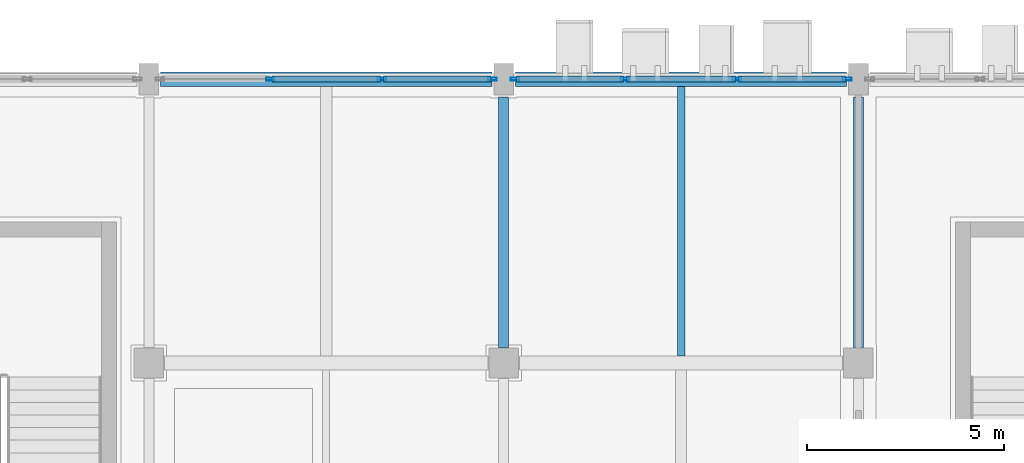
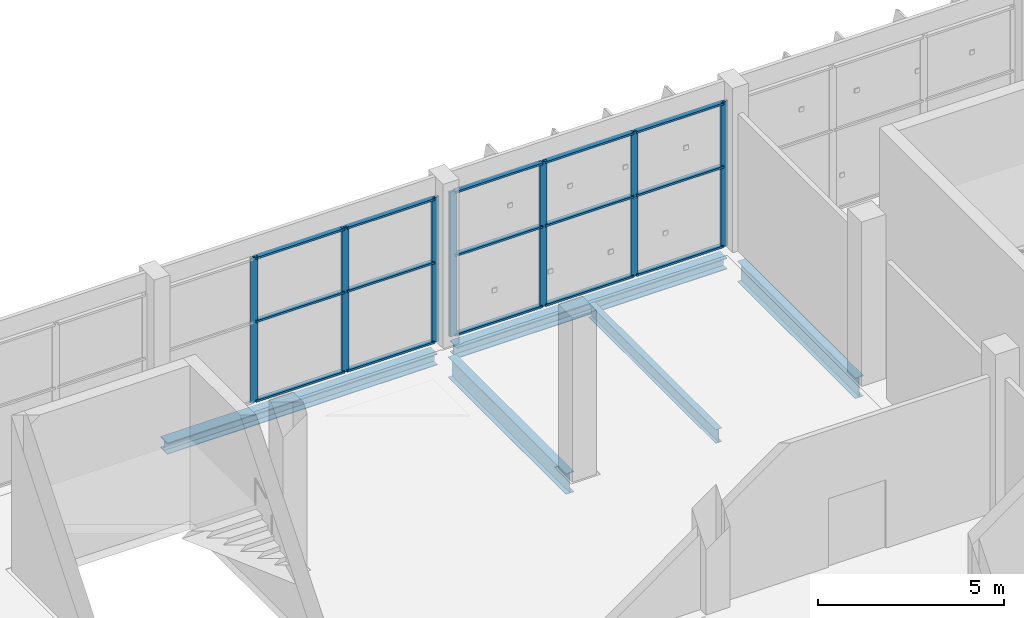
# One storey, part 95 of 189: 22 members, 5 beams, 2 elements without a shape of their own.
"""IFC4 building model written with IfcOpenShell, lengths in metres."""

from ifc_helpers import new_model, si_unit, direction, frame, origin, origin_2d, place, context, subcontext, project, spatial, hollow_rectangle, i_section, extrude, material, layer, layer_set, material_profile, profile_set, type_object, element, aggregate, save


model = new_model("IFC4")

# Units and contexts
model_context = context("Model", 3, precision=1e-05, world=origin(), true_north=direction((0.0, 1.0)))
body_context = subcontext(model_context, "Body", "Model", "MODEL_VIEW")
ifc_project = project(units=[si_unit("LENGTHUNIT", "METRE"), si_unit("AREAUNIT", "SQUARE_METRE"), si_unit("VOLUMEUNIT", "CUBIC_METRE"), si_unit("PLANEANGLEUNIT", "RADIAN"), si_unit("MASSUNIT", "GRAM", prefix="KILO")], contexts=[model_context])

# Site, building, storey
site_placement = place(None, origin())
site = spatial("IfcSite", under=ifc_project, at=site_placement, CompositionType="ELEMENT")
building_placement = place(site_placement, origin())
building = spatial("IfcBuilding", under=site, at=building_placement, Name="Celestram Park Convention Centre", CompositionType="ELEMENT")
storey_placement = place(building_placement, frame((0.0, 0.0, 5.39990234375)))
storey = spatial("IfcBuildingStorey", under=building, at=storey_placement, Name="L01", CompositionType="ELEMENT", Elevation=5.39990234375)

# Curtain wall, members
ifc_material_1 = material(Name="Anodised Aluminium Alloy 6063-T6", Category="aluminium")
ifc_layer = layer(ifc_material_1, 0.179931640625)
ifc_layer_set = layer_set([ifc_layer], Name="Anodised Aluminium Alloy 6063-T6")
curtain_wall_type = type_object("IfcCurtainWallType", Name="ARC-CW-850X476", PredefinedType="NOTDEFINED", material=ifc_layer_set)
curtain_wall_1_placement = place(storey_placement, origin())
curtain_wall_1 = element("IfcCurtainWall", 1, at=curtain_wall_1_placement, inside=storey, type_object=curtain_wall_type, Name="Unitised curtain wall CU-L01-056", PredefinedType="NOTDEFINED")
ifc_material_profile_1 = material_profile(ifc_material_1, hollow_rectangle(XDim=0.074951171875, YDim=0.219970703125, WallThickness=0.00390625, at=origin_2d()), Name="ALU75X220X4")
ifc_profile_set_1 = profile_set([ifc_material_profile_1], Name="Anodised Aluminium Alloy 6063-T6")
member_type_1 = type_object("IfcMemberType", Name="ARC-CWM-180", PredefinedType="MULLION", material=ifc_profile_set_1)
member_1_placement = place(storey_placement, frame((48.082763671875, 165.60009765625, 0.0), z_axis=(0.0, 0.0, 1.0), x_axis=(0.0, 1.0, 0.0)))
member_1 = element("IfcMember", 2, at=member_1_placement, type_object=member_type_1, Name="CW-85X47 mullion 2", PredefinedType="MULLION", context=body_context, shape_type="SweptSolid", body=[
    extrude(hollow_rectangle(XDim=0.074951171875, YDim=0.219970703125, WallThickness=0.00390625, at=origin_2d()), origin(), (0.0, 0.0, 1.0), 4.76416015625),
])
member_2_placement = place(storey_placement, frame((50.917236328125, 165.60009765625, 0.0), z_axis=(0.0, 0.0, 1.0), x_axis=(0.0, 1.0, 0.0)))
member_2 = element("IfcMember", 3, at=member_2_placement, type_object=member_type_1, Name="CW-85X47 mullion 3", PredefinedType="MULLION", context=body_context, shape_type="SweptSolid", body=[
    extrude(hollow_rectangle(XDim=0.074951171875, YDim=0.219970703125, WallThickness=0.00390625, at=origin_2d()), origin(), (0.0, 0.0, 1.0), 4.76416015625),
])
member_3_placement = place(storey_placement, frame((53.714599609375, 165.60009765625, 0.0), z_axis=(0.0, 0.0, 1.0), x_axis=(0.0, 1.0, 0.0)))
member_3 = element("IfcMember", 4, at=member_3_placement, type_object=member_type_1, Name="CW-85X47 mullion 4", PredefinedType="MULLION", context=body_context, shape_type="SweptSolid", body=[
    extrude(hollow_rectangle(XDim=0.074951171875, YDim=0.219970703125, WallThickness=0.00390625, at=origin_2d()), origin(), (0.0, 0.0, 1.0), 4.76416015625),
])

curtain_wall_2_placement = place(storey_placement, origin())
curtain_wall_2 = element("IfcCurtainWall", 5, at=curtain_wall_2_placement, inside=storey, type_object=curtain_wall_type, Name="Unitised curtain wall CU-L01-057", PredefinedType="NOTDEFINED")
member_4_placement = place(storey_placement, frame((54.285400390625, 165.60009765625, 0.0), z_axis=(0.0, 0.0, 1.0), x_axis=(0.0, 1.0, 0.0)))
member_4 = element("IfcMember", 6, at=member_4_placement, type_object=member_type_1, Name="CW-85X47 mullion 1", PredefinedType="MULLION", context=body_context, shape_type="SweptSolid", body=[
    extrude(hollow_rectangle(XDim=0.074951171875, YDim=0.219970703125, WallThickness=0.00390625, at=origin_2d()), origin(), (0.0, 0.0, 1.0), 4.76416015625),
])
member_5_placement = place(storey_placement, frame((57.082763671875, 165.60009765625, 0.0), z_axis=(0.0, 0.0, 1.0), x_axis=(0.0, 1.0, 0.0)))
member_5 = element("IfcMember", 7, at=member_5_placement, type_object=member_type_1, Name="CW-85X47 mullion 2", PredefinedType="MULLION", context=body_context, shape_type="SweptSolid", body=[
    extrude(hollow_rectangle(XDim=0.074951171875, YDim=0.219970703125, WallThickness=0.00390625, at=origin_2d()), origin(), (0.0, 0.0, 1.0), 4.76416015625),
])
member_6_placement = place(storey_placement, frame((59.917236328125, 165.60009765625, 0.0), z_axis=(0.0, 0.0, 1.0), x_axis=(0.0, 1.0, 0.0)))
member_6 = element("IfcMember", 8, at=member_6_placement, type_object=member_type_1, Name="CW-85X47 mullion 3", PredefinedType="MULLION", context=body_context, shape_type="SweptSolid", body=[
    extrude(hollow_rectangle(XDim=0.074951171875, YDim=0.219970703125, WallThickness=0.00390625, at=origin_2d()), origin(), (0.0, 0.0, 1.0), 4.76416015625),
])
member_7_placement = place(storey_placement, frame((62.714599609375, 165.60009765625, 0.0), z_axis=(0.0, 0.0, 1.0), x_axis=(0.0, 1.0, 0.0)))
member_7 = element("IfcMember", 9, at=member_7_placement, type_object=member_type_1, Name="CW-85X47 mullion 4", PredefinedType="MULLION", context=body_context, shape_type="SweptSolid", body=[
    extrude(hollow_rectangle(XDim=0.074951171875, YDim=0.219970703125, WallThickness=0.00390625, at=origin_2d()), origin(), (0.0, 0.0, 1.0), 4.76416015625),
])

# Member
ifc_material_profile_2 = material_profile(ifc_material_1, hollow_rectangle(XDim=0.14990234375, YDim=0.06494140625, WallThickness=0.0029296875, at=origin_2d()), Name="ALU150X65X3")
ifc_profile_set_2 = profile_set([ifc_material_profile_2], Name="Anodised Aluminium Alloy 6063-T6")
member_type_2 = type_object("IfcMemberType", Name="ARC-CWT-150", PredefinedType="USERDEFINED", material=ifc_profile_set_2)
member_8_placement = place(storey_placement, frame((48.1201171875, 165.60009765625, 0.03271484375), z_axis=(1.0, 0.0, 0.0), x_axis=(0.0, 1.0, 0.0)))
member_8 = element("IfcMember", 10, at=member_8_placement, type_object=member_type_2, Name="CW-85X47 transom 2.1", ObjectType="TRANSOM", PredefinedType="USERDEFINED", context=body_context, shape_type="SweptSolid", body=[
    extrude(hollow_rectangle(XDim=0.14990234375, YDim=0.06494140625, WallThickness=0.0029296875, at=origin_2d()), origin(), (0.0, 0.0, 1.0), 2.759765625),
])

member_9_placement = place(storey_placement, frame((48.1201171875, 165.60009765625, 2.650146484375), z_axis=(1.0, 0.0, 0.0), x_axis=(0.0, 1.0, 0.0)))
member_9 = element("IfcMember", 11, at=member_9_placement, type_object=member_type_2, Name="CW-85X47 transom 2.2", ObjectType="TRANSOM", PredefinedType="USERDEFINED", context=body_context, shape_type="SweptSolid", body=[
    extrude(hollow_rectangle(XDim=0.14990234375, YDim=0.06494140625, WallThickness=0.0029296875, at=origin_2d()), origin(), (0.0, 0.0, 1.0), 2.759765625),
])

member_10_placement = place(storey_placement, frame((48.1201171875, 165.60009765625, 4.731689453125), z_axis=(1.0, 0.0, 0.0), x_axis=(0.0, 1.0, 0.0)))
member_10 = element("IfcMember", 12, at=member_10_placement, type_object=member_type_2, Name="CW-85X47 transom 2.3", ObjectType="TRANSOM", PredefinedType="USERDEFINED", context=body_context, shape_type="SweptSolid", body=[
    extrude(hollow_rectangle(XDim=0.14990234375, YDim=0.06494140625, WallThickness=0.0029296875, at=origin_2d()), origin(), (0.0, 0.0, 1.0), 2.759765625),
])

member_11_placement = place(storey_placement, frame((50.954833984375, 165.60009765625, 0.03271484375), z_axis=(1.0, 0.0, 0.0), x_axis=(0.0, 1.0, 0.0)))
member_11 = element("IfcMember", 13, at=member_11_placement, type_object=member_type_2, Name="CW-85X47 transom 3.1", ObjectType="TRANSOM", PredefinedType="USERDEFINED", context=body_context, shape_type="SweptSolid", body=[
    extrude(hollow_rectangle(XDim=0.14990234375, YDim=0.06494140625, WallThickness=0.0029296875, at=origin_2d()), origin(), (0.0, 0.0, 1.0), 2.72216796875),
])

member_12_placement = place(storey_placement, frame((50.954833984375, 165.60009765625, 2.650146484375), z_axis=(1.0, 0.0, 0.0), x_axis=(0.0, 1.0, 0.0)))
member_12 = element("IfcMember", 14, at=member_12_placement, type_object=member_type_2, Name="CW-85X47 transom 3.2", ObjectType="TRANSOM", PredefinedType="USERDEFINED", context=body_context, shape_type="SweptSolid", body=[
    extrude(hollow_rectangle(XDim=0.14990234375, YDim=0.06494140625, WallThickness=0.0029296875, at=origin_2d()), origin(), (0.0, 0.0, 1.0), 2.72216796875),
])

member_13_placement = place(storey_placement, frame((50.954833984375, 165.60009765625, 4.731689453125), z_axis=(1.0, 0.0, 0.0), x_axis=(0.0, 1.0, 0.0)))
member_13 = element("IfcMember", 15, at=member_13_placement, type_object=member_type_2, Name="CW-85X47 transom 3.3", ObjectType="TRANSOM", PredefinedType="USERDEFINED", context=body_context, shape_type="SweptSolid", body=[
    extrude(hollow_rectangle(XDim=0.14990234375, YDim=0.06494140625, WallThickness=0.0029296875, at=origin_2d()), origin(), (0.0, 0.0, 1.0), 2.72216796875),
])

aggregate(curtain_wall_1, [member_1, member_2, member_3, member_8, member_9, member_10, member_11, member_12, member_13])

member_14_placement = place(storey_placement, frame((54.322998046875, 165.60009765625, 0.03271484375), z_axis=(1.0, 0.0, 0.0), x_axis=(0.0, 1.0, 0.0)))
member_14 = element("IfcMember", 16, at=member_14_placement, type_object=member_type_2, Name="CW-85X47 transom 1.1", ObjectType="TRANSOM", PredefinedType="USERDEFINED", context=body_context, shape_type="SweptSolid", body=[
    extrude(hollow_rectangle(XDim=0.14990234375, YDim=0.06494140625, WallThickness=0.0029296875, at=origin_2d()), origin(), (0.0, 0.0, 1.0), 2.72216796875),
])

member_15_placement = place(storey_placement, frame((54.322998046875, 165.60009765625, 2.650146484375), z_axis=(1.0, 0.0, 0.0), x_axis=(0.0, 1.0, 0.0)))
member_15 = element("IfcMember", 17, at=member_15_placement, type_object=member_type_2, Name="CW-85X47 transom 1.2", ObjectType="TRANSOM", PredefinedType="USERDEFINED", context=body_context, shape_type="SweptSolid", body=[
    extrude(hollow_rectangle(XDim=0.14990234375, YDim=0.06494140625, WallThickness=0.0029296875, at=origin_2d()), origin(), (0.0, 0.0, 1.0), 2.72216796875),
])

member_16_placement = place(storey_placement, frame((54.322998046875, 165.60009765625, 4.731689453125), z_axis=(1.0, 0.0, 0.0), x_axis=(0.0, 1.0, 0.0)))
member_16 = element("IfcMember", 18, at=member_16_placement, type_object=member_type_2, Name="CW-85X47 transom 1.3", ObjectType="TRANSOM", PredefinedType="USERDEFINED", context=body_context, shape_type="SweptSolid", body=[
    extrude(hollow_rectangle(XDim=0.14990234375, YDim=0.06494140625, WallThickness=0.0029296875, at=origin_2d()), origin(), (0.0, 0.0, 1.0), 2.72216796875),
])

member_17_placement = place(storey_placement, frame((57.1201171875, 165.60009765625, 0.03271484375), z_axis=(1.0, 0.0, 0.0), x_axis=(0.0, 1.0, 0.0)))
member_17 = element("IfcMember", 19, at=member_17_placement, type_object=member_type_2, Name="CW-85X47 transom 2.1", ObjectType="TRANSOM", PredefinedType="USERDEFINED", context=body_context, shape_type="SweptSolid", body=[
    extrude(hollow_rectangle(XDim=0.14990234375, YDim=0.06494140625, WallThickness=0.0029296875, at=origin_2d()), origin(), (0.0, 0.0, 1.0), 2.759765625),
])

member_18_placement = place(storey_placement, frame((57.1201171875, 165.60009765625, 2.650146484375), z_axis=(1.0, 0.0, 0.0), x_axis=(0.0, 1.0, 0.0)))
member_18 = element("IfcMember", 20, at=member_18_placement, type_object=member_type_2, Name="CW-85X47 transom 2.2", ObjectType="TRANSOM", PredefinedType="USERDEFINED", context=body_context, shape_type="SweptSolid", body=[
    extrude(hollow_rectangle(XDim=0.14990234375, YDim=0.06494140625, WallThickness=0.0029296875, at=origin_2d()), origin(), (0.0, 0.0, 1.0), 2.759765625),
])

member_19_placement = place(storey_placement, frame((57.1201171875, 165.60009765625, 4.731689453125), z_axis=(1.0, 0.0, 0.0), x_axis=(0.0, 1.0, 0.0)))
member_19 = element("IfcMember", 21, at=member_19_placement, type_object=member_type_2, Name="CW-85X47 transom 2.3", ObjectType="TRANSOM", PredefinedType="USERDEFINED", context=body_context, shape_type="SweptSolid", body=[
    extrude(hollow_rectangle(XDim=0.14990234375, YDim=0.06494140625, WallThickness=0.0029296875, at=origin_2d()), origin(), (0.0, 0.0, 1.0), 2.759765625),
])

member_20_placement = place(storey_placement, frame((59.954833984375, 165.60009765625, 0.03271484375), z_axis=(1.0, 0.0, 0.0), x_axis=(0.0, 1.0, 0.0)))
member_20 = element("IfcMember", 22, at=member_20_placement, type_object=member_type_2, Name="CW-85X47 transom 3.1", ObjectType="TRANSOM", PredefinedType="USERDEFINED", context=body_context, shape_type="SweptSolid", body=[
    extrude(hollow_rectangle(XDim=0.14990234375, YDim=0.06494140625, WallThickness=0.0029296875, at=origin_2d()), origin(), (0.0, 0.0, 1.0), 2.72216796875),
])

member_21_placement = place(storey_placement, frame((59.954833984375, 165.60009765625, 2.650146484375), z_axis=(1.0, 0.0, 0.0), x_axis=(0.0, 1.0, 0.0)))
member_21 = element("IfcMember", 23, at=member_21_placement, type_object=member_type_2, Name="CW-85X47 transom 3.2", ObjectType="TRANSOM", PredefinedType="USERDEFINED", context=body_context, shape_type="SweptSolid", body=[
    extrude(hollow_rectangle(XDim=0.14990234375, YDim=0.06494140625, WallThickness=0.0029296875, at=origin_2d()), origin(), (0.0, 0.0, 1.0), 2.72216796875),
])

member_22_placement = place(storey_placement, frame((59.954833984375, 165.60009765625, 4.731689453125), z_axis=(1.0, 0.0, 0.0), x_axis=(0.0, 1.0, 0.0)))
member_22 = element("IfcMember", 24, at=member_22_placement, type_object=member_type_2, Name="CW-85X47 transom 3.3", ObjectType="TRANSOM", PredefinedType="USERDEFINED", context=body_context, shape_type="SweptSolid", body=[
    extrude(hollow_rectangle(XDim=0.14990234375, YDim=0.06494140625, WallThickness=0.0029296875, at=origin_2d()), origin(), (0.0, 0.0, 1.0), 2.72216796875),
])

aggregate(curtain_wall_2, [member_4, member_5, member_6, member_7, member_14, member_15, member_16, member_17, member_18, member_19, member_20, member_21, member_22])

# Beams
ifc_material_2 = material(Name="Steel ASTM A992 Grade 50", Category="steel")
ifc_material_profile_3 = material_profile(ifc_material_2, i_section(OverallWidth=0.25390625, OverallDepth=0.68310546875, WebThickness=0.012451171875, FlangeThickness=0.01904296875, at=origin_2d()), Name="W27X94")
ifc_profile_set_3 = profile_set([ifc_material_profile_3], Name="Steel ASTM A992 Grade 50")
beam_type_1 = type_object("IfcBeamType", Name="STR-BM-W27X94", PredefinedType="BEAM", material=ifc_profile_set_3)
for number, where, z_axis, x_axis, name in (
    (25, (54.0, 158.798095703125, -0.621337890625), (0.0, 1.0, 0.0), (-1.0, 0.0, 0.0), "Primary Y-girder BG-L01-0099"),
    (26, (63.0, 158.798095703125, -0.621337890625), (0.0, 1.0, 0.0), (-1.0, 0.0, 0.0), "Primary Y-girder BG-L01-0118"),
):
    element("IfcBeam", number, at=place(storey_placement, frame(where, z_axis=z_axis, x_axis=x_axis)), inside=storey, type_object=beam_type_1, Name=name, PredefinedType="BEAM", context=body_context, shape_type="SweptSolid", body=[
        extrude(i_section(OverallWidth=0.25390625, OverallDepth=0.68310546875, WebThickness=0.012451171875, FlangeThickness=0.01904296875, at=origin_2d()), origin(), (0.0, 0.0, 1.0), 6.35400390625),
    ])
ifc_material_profile_4 = material_profile(ifc_material_2, i_section(OverallWidth=0.19091796875, OverallDepth=0.45703125, WebThickness=0.009033203125, FlangeThickness=0.014404296875, at=origin_2d()), Name="W18X50")
ifc_profile_set_4 = profile_set([ifc_material_profile_4], Name="Steel ASTM A992 Grade 50")
beam_type_2 = type_object("IfcBeamType", Name="STR-JST-W18X50", PredefinedType="JOIST", material=ifc_profile_set_4)
beam_placement = place(storey_placement, frame((58.5, 158.573974609375, -0.50830078125), z_axis=(0.0, 1.0, 0.0), x_axis=(-1.0, 0.0, 0.0)))
element("IfcBeam", 27, at=beam_placement, inside=storey, type_object=beam_type_2, Name="Secondary composite joist BG-L01-0581", PredefinedType="JOIST", context=body_context, shape_type="SweptSolid", body=[
    extrude(i_section(OverallWidth=0.19091796875, OverallDepth=0.45703125, WebThickness=0.009033203125, FlangeThickness=0.014404296875, at=origin_2d()), origin(), (0.0, 0.0, 1.0), 6.843994140625),
])
ifc_material_profile_5 = material_profile(ifc_material_2, i_section(OverallWidth=0.373046875, OverallDepth=0.373046875, WebThickness=0.016357421875, FlangeThickness=0.026123046875, at=origin_2d()), Name="W14X132")
ifc_profile_set_5 = profile_set([ifc_material_profile_5], Name="Steel ASTM A992 Grade 50")
beam_type_3 = type_object("IfcBeamType", Name="STR-SPN-W14X132", PredefinedType="SPANDREL", material=ifc_profile_set_5)
for number, where, z_axis, x_axis, name in (
    (28, (45.298095703125, 165.60009765625, -0.46630859375), (1.0, 0.0, 0.0), (0.0, 1.0, 0.0), "Primary X-girder BG-L01-0079"),
    (29, (54.298095703125, 165.60009765625, -0.46630859375), (1.0, 0.0, 0.0), (0.0, 1.0, 0.0), "Primary X-girder BG-L01-0100"),
):
    element("IfcBeam", number, at=place(storey_placement, frame(where, z_axis=z_axis, x_axis=x_axis)), inside=storey, type_object=beam_type_3, Name=name, PredefinedType="SPANDREL", context=body_context, shape_type="SweptSolid", body=[
        extrude(i_section(OverallWidth=0.373046875, OverallDepth=0.373046875, WebThickness=0.016357421875, FlangeThickness=0.026123046875, at=origin_2d()), origin(), (0.0, 0.0, 1.0), 8.40380859375),
    ])

save(model, "model.ifc")
